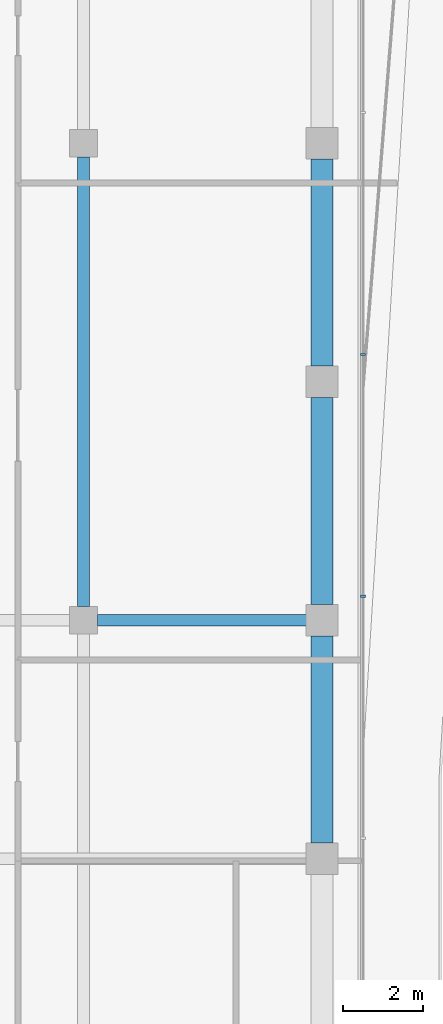
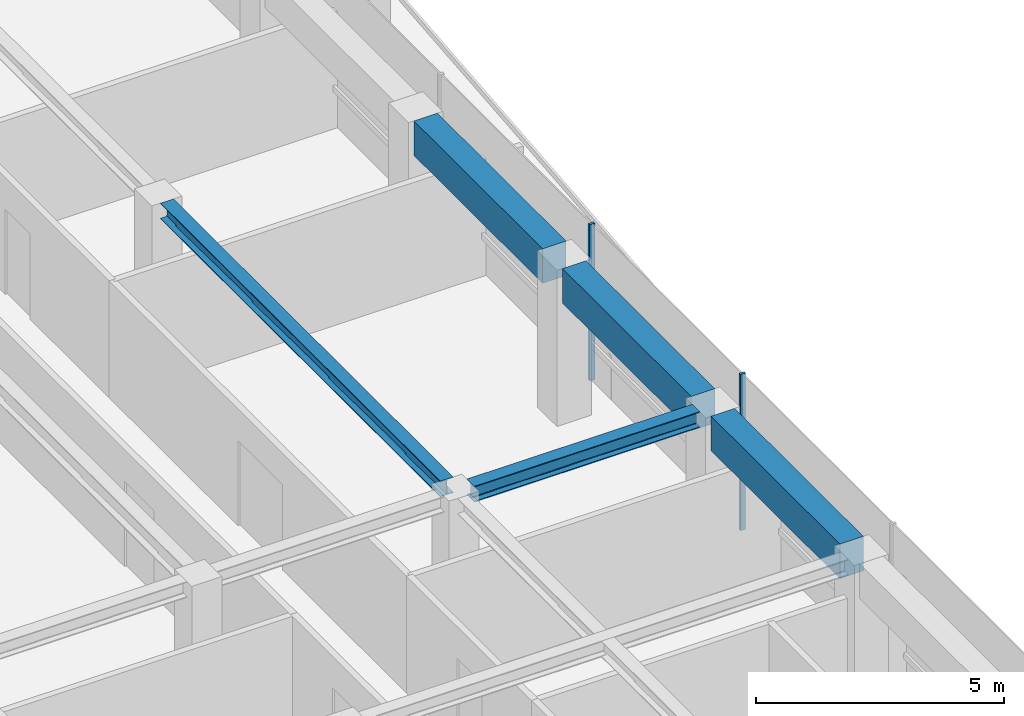
# One storey, part 8 of 19: 5 beams, 2 members, 1 element without a shape of its own.
"""IFC4 building model written with IfcOpenShell, lengths in metres."""

from ifc_helpers import new_model, si_unit, direction, frame, origin, origin_2d, place, context, subcontext, project, spatial, rectangle, i_section, extrude, material, layer, layer_set, material_profile, profile_set, type_object, element, aggregate, save


model = new_model("IFC4")

# Units and contexts
model_context = context("Model", 3, precision=1e-05, world=origin(), true_north=direction((0.0, 1.0)))
body_context = subcontext(model_context, "Body", "Model", "MODEL_VIEW")
ifc_project = project(units=[si_unit("LENGTHUNIT", "METRE"), si_unit("AREAUNIT", "SQUARE_METRE"), si_unit("VOLUMEUNIT", "CUBIC_METRE"), si_unit("PLANEANGLEUNIT", "RADIAN"), si_unit("MASSUNIT", "GRAM", prefix="KILO")], contexts=[model_context])

# Site, building, storey
site_placement = place(None, origin())
site = spatial("IfcSite", under=ifc_project, at=site_placement, CompositionType="ELEMENT")
building_placement = place(site_placement, origin())
building = spatial("IfcBuilding", under=site, at=building_placement, Name="Welwitschia Terrace Campus", CompositionType="ELEMENT")
storey_placement = place(building_placement, frame((0.0, 0.0, 243.199951171875)))
storey = spatial("IfcBuildingStorey", under=building, at=storey_placement, Name="L54", CompositionType="ELEMENT", Elevation=243.199951171875)

# Beams
ifc_material_1 = material(Name="Steel S355", Category="steel")
ifc_material_profile_1 = material_profile(ifc_material_1, i_section(OverallWidth=0.300048828125, OverallDepth=0.389892578125, WebThickness=0.010986328125, FlangeThickness=0.01904296875, FilletRadius=0.027099609375, at=origin_2d()))
ifc_profile_set_1 = profile_set([ifc_material_profile_1], Name="Steel S355")
beam_type_1 = type_object("IfcBeamType", Name="Interior girder HE 400 A", PredefinedType="BEAM", material=ifc_profile_set_1)
beam_1_placement = place(storey_placement, frame((18.3505859375, 40.0, 3.655029296875), z_axis=(1.0, 0.0, 0.0), x_axis=(0.0, 1.0, 0.0)))
element("IfcBeam", 1, at=beam_1_placement, inside=storey, type_object=beam_type_1, Name="Girder GB5", PredefinedType="BEAM", context=body_context, shape_type="SweptSolid", body=[
    extrude(i_section(OverallWidth=0.300048828125, OverallDepth=0.389892578125, WebThickness=0.010986328125, FlangeThickness=0.01904296875, FilletRadius=0.027099609375, at=origin_2d()), origin(), (0.0, 0.0, 1.0), 5.259033203125),
])
beam_2_placement = place(storey_placement, frame((18.0, 40.3505859375, 3.655029296875), z_axis=(0.0, 1.0, 0.0), x_axis=(-1.0, 0.0, 0.0)))
element("IfcBeam", 2, at=beam_2_placement, inside=storey, type_object=beam_type_1, Name="Girder GB5", PredefinedType="BEAM", context=body_context, shape_type="SweptSolid", body=[
    extrude(i_section(OverallWidth=0.300048828125, OverallDepth=0.389892578125, WebThickness=0.010986328125, FlangeThickness=0.01904296875, FilletRadius=0.027099609375, at=origin_2d()), origin(), (0.0, 0.0, 1.0), 11.298828125),
])

# Curtain wall, members
ifc_material_2 = material(Name="Bronze anodised aluminium", Category="aluminium")
ifc_layer = layer(ifc_material_2, 0.1201171875)
ifc_layer_set = layer_set([ifc_layer], Name="Bronze anodised aluminium")
curtain_wall_type = type_object("IfcCurtainWallType", Name="Curtain wall CW2 tower 6000", PredefinedType="NOTDEFINED", material=ifc_layer_set)
curtain_wall_placement = place(storey_placement, origin())
curtain_wall = element("IfcCurtainWall", 3, at=curtain_wall_placement, inside=storey, type_object=curtain_wall_type, Name="CW L54.6.0", PredefinedType="NOTDEFINED")
ifc_material_3 = material(Name="Bronze anodised aluminium", Category="aluminium")
ifc_material_profile_2 = material_profile(ifc_material_3, rectangle(XDim=0.1201171875, YDim=0.06005859375, at=origin_2d()))
ifc_profile_set_2 = profile_set([ifc_material_profile_2], Name="Bronze anodised aluminium")
member_type = type_object("IfcMemberType", Name="Mullion 60x120", PredefinedType="MULLION", material=ifc_profile_set_2)
member_1_placement = place(storey_placement, frame((25.030029296875, 40.59912109375, 0.0), z_axis=(0.0, 0.0, 1.0), x_axis=(-1.0, 0.0, 0.0)))
member_1 = element("IfcMember", 4, at=member_1_placement, type_object=member_type, Name="Mullion L54.6.0.2", PredefinedType="MULLION", context=body_context, shape_type="SweptSolid", body=[
    extrude(rectangle(XDim=0.1201171875, YDim=0.06005859375, at=origin_2d()), origin(), (0.0, 0.0, 1.0), 3.85009765625),
])
member_2_placement = place(storey_placement, frame((25.030029296875, 46.685302734375, 0.0), z_axis=(0.0, 0.0, 1.0), x_axis=(-1.0, 0.0, 0.0)))
member_2 = element("IfcMember", 5, at=member_2_placement, type_object=member_type, Name="Mullion L54.6.0.3", PredefinedType="MULLION", context=body_context, shape_type="SweptSolid", body=[
    extrude(rectangle(XDim=0.1201171875, YDim=0.06005859375, at=origin_2d()), origin(), (0.0, 0.0, 1.0), 3.85009765625),
])
aggregate(curtain_wall, [member_1, member_2])

# Beams
ifc_material_4 = material(Name="Concrete C50/60", Category="concrete")
ifc_material_profile_3 = material_profile(ifc_material_4, rectangle(XDim=0.550048828125, YDim=0.85009765625, at=origin_2d()))
ifc_profile_set_3 = profile_set([ifc_material_profile_3], Name="Concrete C50/60")
beam_type_2 = type_object("IfcBeamType", Name="Ring spandrel 550x850", PredefinedType="SPANDREL", material=ifc_profile_set_3)
for number, where, z_axis, x_axis, name in (
    (6, (24.0, 34.400390625, 3.425048828125), (0.0, 1.0, 0.0), (-1.0, 0.0, 0.0), "Spandrel SP3"),
    (7, (24.0, 40.400390625, 3.425048828125), (0.0, 1.0, 0.0), (-1.0, 0.0, 0.0), "Spandrel SP3"),
    (8, (24.0, 46.400390625, 3.425048828125), (0.0, 1.0, 0.0), (-1.0, 0.0, 0.0), "Spandrel SP3"),
):
    element("IfcBeam", number, at=place(storey_placement, frame(where, z_axis=z_axis, x_axis=x_axis)), inside=storey, type_object=beam_type_2, Name=name, PredefinedType="SPANDREL", context=body_context, shape_type="SweptSolid", body=[
        extrude(rectangle(XDim=0.550048828125, YDim=0.85009765625, at=origin_2d()), origin(), (0.0, 0.0, 1.0), 5.19921875),
    ])

save(model, "model.ifc")
